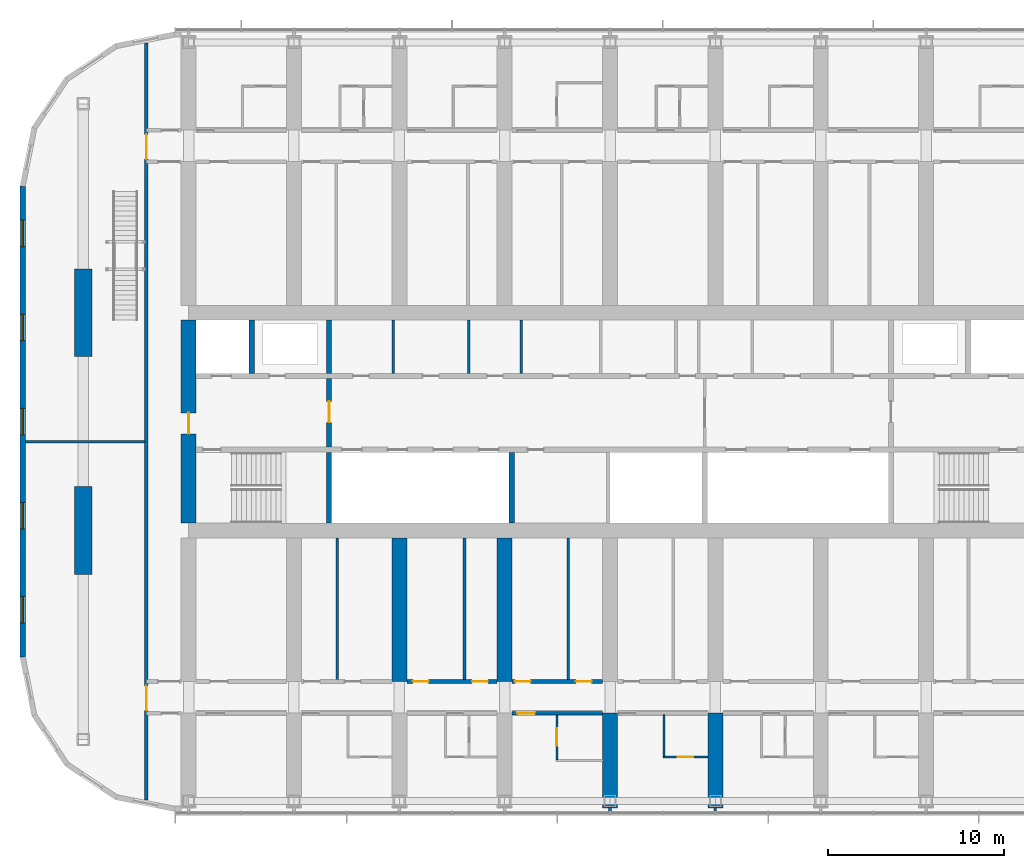
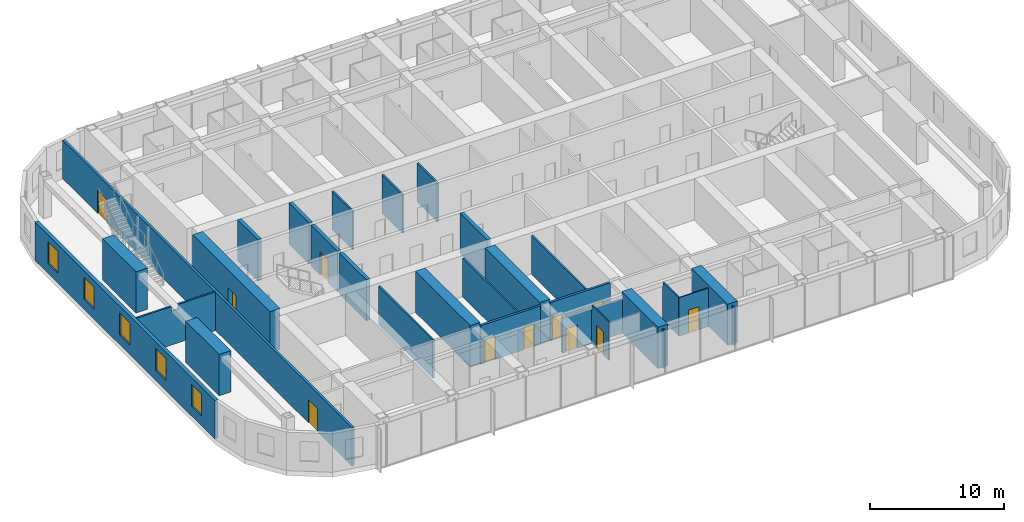
# One storey, part 15 of 29: 29 walls, 11 doors, 5 windows, 16 openings.
"""IFC4 building model written with IfcOpenShell, lengths in metres."""

from ifc_helpers import new_model, si_unit, direction, frame, frame_2d, origin, place, context, subcontext, project, spatial, polyline, rectangle, outline, extrude, material, layer, layer_set, type_object, element, fill, save


model = new_model("IFC4")

# Units and contexts
model_context = context("Model", 3, precision=1e-05, world=origin(), true_north=direction((0.0, 1.0)))
body_context = subcontext(model_context, "Body", "Model", "MODEL_VIEW")
ifc_project = project(units=[si_unit("LENGTHUNIT", "METRE"), si_unit("AREAUNIT", "SQUARE_METRE"), si_unit("VOLUMEUNIT", "CUBIC_METRE"), si_unit("PLANEANGLEUNIT", "RADIAN"), si_unit("MASSUNIT", "GRAM", prefix="KILO")], contexts=[model_context])

# Site, building, storey
site_placement = place(None, origin())
site = spatial("IfcSite", under=ifc_project, at=site_placement, CompositionType="ELEMENT")
building_placement = place(site_placement, origin())
building = spatial("IfcBuilding", under=site, at=building_placement, Name="Orbita Commons", CompositionType="ELEMENT")
storey_placement = place(building_placement, frame((0.0, 0.0, 148.60009765625)))
storey = spatial("IfcBuildingStorey", under=building, at=storey_placement, Name="L36", CompositionType="ELEMENT", Elevation=148.60009765625)

# Wall
ifc_material_1 = material(Name="Concrete C50/60", Category="concrete")
ifc_layer_1 = layer(ifc_material_1, 0.300048828125)
ifc_layer_set_1 = layer_set([ifc_layer_1], Name="Concrete C50/60")
wall_type_1 = type_object("IfcWallType", Name="Core inner wall 300 C50/60", PredefinedType="SHEAR", material=ifc_layer_set_1)
wall_1_placement = place(storey_placement, frame((26.0, 26.22509765625, 0.0), z_axis=(0.0, 0.0, 1.0), x_axis=(0.0, 1.0, 0.0)))
element("IfcWall", 1, at=wall_1_placement, inside=storey, type_object=wall_type_1, Name="Stair S1 wall L36", PredefinedType="SHEAR", context=body_context, shape_type="SweptSolid", body=[
    extrude(rectangle(XDim=4.02490234375, YDim=0.300048828125, at=frame_2d((2.012451171875, 0.0))), origin(), (0.0, 0.0, 1.0), 3.75),
])

# Wall, opening, door
wall_2_placement = place(storey_placement, frame((26.0, 30.550048828125, 0.0), z_axis=(0.0, 0.0, 1.0), x_axis=(0.0, 1.0, 0.0)))
wall_2 = element("IfcWall", 2, at=wall_2_placement, inside=storey, type_object=wall_type_1, Name="Firefighting lobby wall west L36", PredefinedType="SHEAR", context=body_context, shape_type="SweptSolid", body=[
    extrude(rectangle(XDim=3.89990234375, YDim=0.300048828125, at=frame_2d((1.949951171875, 0.0))), origin(), (0.0, 0.0, 1.0), 3.75),
])
opening_1_placement = place(wall_2_placement, frame((1.39990234375, 0.0, 0.0)))
opening_1 = element("IfcOpeningElement", 3, at=opening_1_placement, cuts=wall_2, Name="Opening D04", PredefinedType="OPENING", context=body_context, shape_type="SweptSolid", body=[
    extrude(rectangle(XDim=1.199951171875, YDim=2.10009765625, at=frame_2d((0.60009765625, 1.050048828125))), frame((0.0, 0.159912109375, 0.0), z_axis=(0.0, -1.0, 0.0), x_axis=(1.0, 0.0, 0.0)), (0.0, 0.0, 1.0), 0.320068359375),
])
ifc_material_2 = material(Name="Steel-faced fire door leaf", Category="steel")
door_type_1 = type_object("IfcDoorType", Name="Service door 20 min 1200x2100", OperationType="SINGLE_SWING_LEFT", PredefinedType="DOOR", material=ifc_material_2)
door_1_placement = place(opening_1_placement, origin())
door_1 = element("IfcDoor", 4, at=door_1_placement, inside=storey, type_object=door_type_1, Name="Lift lobby door west", OperationType="SINGLE_SWING_LEFT", OverallHeight=2.10009765625, OverallWidth=1.199951171875, PredefinedType="DOOR", context=body_context, shape_type="SweptSolid", body=[
    extrude(rectangle(XDim=1.199951171875, YDim=2.10009765625, at=frame_2d((0.60009765625, 1.050048828125))), frame((0.0, 0.02490234375, 0.0), z_axis=(0.0, -1.0, 0.0), x_axis=(1.0, 0.0, 0.0)), (0.0, 0.0, 1.0), 0.050048828125),
])
fill(opening_1, door_1)

# Walls
for number, where, z_axis, x_axis, name in (
    (5, (21.60009765625, 34.75, 0.0), (0.0, 0.0, 1.0), (0.0, 1.0, 0.0), "Firefighting lift FL1 shaft wall L36"),
    (6, (26.0, 34.75, 0.0), (0.0, 0.0, 1.0), (0.0, 1.0, 0.0), "Riser wall west L36"),
):
    element("IfcWall", number, at=place(storey_placement, frame(where, z_axis=z_axis, x_axis=x_axis)), inside=storey, type_object=wall_type_1, Name=name, PredefinedType="SHEAR", context=body_context, shape_type="SweptSolid", body=[
        extrude(rectangle(XDim=3.02490234375, YDim=0.300048828125, at=frame_2d((1.512451171875, 0.0))), origin(), (0.0, 0.0, 1.0), 3.75),
    ])
wall_3_placement = place(storey_placement, frame((36.39990234375, 26.22509765625, 0.0), z_axis=(0.0, 0.0, 1.0), x_axis=(0.0, 1.0, 0.0)))
element("IfcWall", 7, at=wall_3_placement, inside=storey, type_object=wall_type_1, Name="Hoistway division wall L36", PredefinedType="SHEAR", context=body_context, shape_type="SweptSolid", body=[
    extrude(rectangle(XDim=4.02490234375, YDim=0.300048828125, at=frame_2d((2.012451171875, 0.0))), origin(), (0.0, 0.0, 1.0), 3.75),
])
ifc_material_3 = material(Name="Concrete blockwork", Category="masonry")
ifc_layer_2 = layer(ifc_material_3, 0.14990234375)
ifc_layer_set_2 = layer_set([ifc_layer_2], Name="Concrete blockwork")
wall_type_2 = type_object("IfcWallType", Name="Core partition 150 blockwork", PredefinedType="SOLIDWALL", material=ifc_layer_set_2)
for number, where, z_axis, x_axis, name in (
    (8, (29.65087890625, 34.75, 0.0), (0.0, 0.0, 1.0), (0.0, 1.0, 0.0), "Core partition 150 blockwork L36"),
    (9, (33.9462890625, 34.75, 0.0), (0.0, 0.0, 1.0), (0.0, 1.0, 0.0), "Core partition 150 blockwork L36"),
    (10, (36.9462890625, 34.75, 0.0), (0.0, 0.0, 1.0), (0.0, 1.0, 0.0), "Core partition 150 blockwork L36"),
):
    element("IfcWall", number, at=place(storey_placement, frame(where, z_axis=z_axis, x_axis=x_axis)), inside=storey, type_object=wall_type_2, Name=name, PredefinedType="SOLIDWALL", context=body_context, shape_type="SweptSolid", body=[
        extrude(rectangle(XDim=3.02490234375, YDim=0.14990234375, at=frame_2d((1.512451171875, 0.0))), origin(), (0.0, 0.0, 1.0), 3.5),
    ])

# Wall, opening, door
ifc_material_4 = material(Name="Concrete C50/60", Category="concrete")
ifc_layer_3 = layer(ifc_material_4, 0.85009765625)
ifc_layer_set_3 = layer_set([ifc_layer_3], Name="Concrete C50/60")
wall_type_3 = type_object("IfcWallType", Name="Core wall 850 C50/60", PredefinedType="SHEAR", material=ifc_layer_set_3)
wall_4_placement = place(storey_placement, frame((18.0, 26.22509765625, 0.0), z_axis=(0.0, 0.0, 1.0), x_axis=(0.0, 1.0, 0.0)))
wall_4 = element("IfcWall", 11, at=wall_4_placement, inside=storey, type_object=wall_type_3, Name="Core end wall west L36", PredefinedType="SHEAR", context=body_context, shape_type="SweptSolid", body=[
    extrude(rectangle(XDim=11.5498046875, YDim=0.85009765625, at=frame_2d((5.77490234375, 0.0))), origin(), (0.0, 0.0, 1.0), 3.75),
])
opening_2_placement = place(wall_4_placement, frame((5.074951171875, 0.0, 0.0)))
opening_2 = element("IfcOpeningElement", 12, at=opening_2_placement, cuts=wall_4, Name="Opening D01", PredefinedType="OPENING", context=body_context, shape_type="SweptSolid", body=[
    extrude(rectangle(XDim=1.199951171875, YDim=2.10009765625, at=frame_2d((0.60009765625, 1.050048828125))), frame((0.0, 0.43505859375, 0.0), z_axis=(0.0, -1.0, 0.0), x_axis=(1.0, 0.0, 0.0)), (0.0, 0.0, 1.0), 0.8701171875),
])
ifc_material_5 = material(Name="Steel-faced fire door leaf", Category="steel")
door_type_2 = type_object("IfcDoorType", Name="Fire door 90 min 1200x2100", OperationType="SINGLE_SWING_LEFT", PredefinedType="DOOR", material=ifc_material_5)
door_2_placement = place(opening_2_placement, origin())
door_2 = element("IfcDoor", 13, at=door_2_placement, inside=storey, type_object=door_type_2, Name="Firefighting lobby west door", OperationType="SINGLE_SWING_LEFT", OverallHeight=2.10009765625, OverallWidth=1.199951171875, PredefinedType="DOOR", context=body_context, shape_type="SweptSolid", body=[
    extrude(rectangle(XDim=1.199951171875, YDim=2.10009765625, at=frame_2d((0.60009765625, 1.050048828125))), frame((0.0, 0.02490234375, 0.0), z_axis=(0.0, -1.0, 0.0), x_axis=(1.0, 0.0, 0.0)), (0.0, 0.0, 1.0), 0.050048828125),
])
fill(opening_2, door_2)

ifc_material_6 = material(Name="Concrete blockwork", Category="masonry")
ifc_layer_4 = layer(ifc_material_6, 0.199951171875)
ifc_layer_set_4 = layer_set([ifc_layer_4], Name="Concrete blockwork")
wall_type_4 = type_object("IfcWallType", Name="Corridor wall 200 blockwork", PredefinedType="SOLIDWALL", material=ifc_layer_set_4)
wall_5_placement = place(storey_placement, frame((36.425048828125, 15.39990234375, 0.0), z_axis=(0.0, 0.0, 1.0), x_axis=(1.0, 0.0, 0.0)))
wall_5 = element("IfcWall", 14, at=wall_5_placement, inside=storey, type_object=wall_type_4, Name="Corridor wall 200 blockwork L36", PredefinedType="SOLIDWALL", context=body_context, shape_type="SweptSolid", body=[
    extrude(outline(polyline([(0.0, 0.0), (5.14990234375, 0.0), (5.14990234375, 3.099853515625), (0.0, 3.099853515625), (0.0, 0.0)])), frame((0.0, 0.10009765625, 0.0), z_axis=(0.0, -1.0, 0.0), x_axis=(1.0, 0.0, 0.0)), (0.0, 0.0, 1.0), 0.199951171875),
])
opening_3_placement = place(wall_5_placement, frame((0.300048828125, 0.0, 0.0)))
opening_3 = element("IfcOpeningElement", 15, at=opening_3_placement, cuts=wall_5, Name="Opening D06", PredefinedType="OPENING", context=body_context, shape_type="SweptSolid", body=[
    extrude(rectangle(XDim=1.0, YDim=2.10009765625, at=frame_2d((0.5, 1.050048828125))), frame((0.0, 0.10986328125, 0.0), z_axis=(0.0, -1.0, 0.0), x_axis=(1.0, 0.0, 0.0)), (0.0, 0.0, 1.0), 0.219970703125),
])
ifc_material_7 = material(Name="Steel-faced fire door leaf", Category="steel")
door_type_3 = type_object("IfcDoorType", Name="Corridor door 20 min 1000x2100", OperationType="SINGLE_SWING_LEFT", PredefinedType="DOOR", material=ifc_material_7)
door_3_placement = place(opening_3_placement, origin())
door_3 = element("IfcDoor", 16, at=door_3_placement, inside=storey, type_object=door_type_3, Name="Accessible bedroom L36-S06 door", OperationType="SINGLE_SWING_LEFT", OverallHeight=2.10009765625, OverallWidth=1.0, PredefinedType="DOOR", context=body_context, shape_type="SweptSolid", body=[
    extrude(rectangle(XDim=1.0, YDim=2.10009765625, at=frame_2d((0.5, 1.050048828125))), frame((0.0, 0.02490234375, 0.0), z_axis=(0.0, -1.0, 0.0), x_axis=(1.0, 0.0, 0.0)), (0.0, 0.0, 1.0), 0.050048828125),
])
fill(opening_3, door_3)

# Wall, openings, doors
wall_6_placement = place(storey_placement, frame((15.60009765625, 10.4462890625, 0.0), z_axis=(0.0, 0.0, 1.0), x_axis=(0.0, 1.0, 0.0)))
wall_6 = element("IfcWall", 17, at=wall_6_placement, inside=storey, type_object=wall_type_4, Name="Corridor wall 200 blockwork L36", PredefinedType="SOLIDWALL", context=body_context, shape_type="SweptSolid", body=[
    extrude(rectangle(XDim=43.107421875, YDim=0.199951171875, at=frame_2d((21.5537109375, 0.0))), origin(), (0.0, 0.0, 1.0), 3.5),
])
opening_4_placement = place(wall_6_placement, frame((5.103759765625, 0.0, 0.0)))
opening_4 = element("IfcOpeningElement", 18, at=opening_4_placement, cuts=wall_6, Name="Opening D08", PredefinedType="OPENING", context=body_context, shape_type="SweptSolid", body=[
    extrude(rectangle(XDim=1.39990234375, YDim=2.10009765625, at=frame_2d((0.699951171875, 1.050048828125))), frame((0.0, 0.10986328125, 0.0), z_axis=(0.0, -1.0, 0.0), x_axis=(1.0, 0.0, 0.0)), (0.0, 0.0, 1.0), 0.219970703125),
])
opening_5_placement = place(wall_6_placement, frame((36.50390625, 0.0, 0.0)))
opening_5 = element("IfcOpeningElement", 19, at=opening_5_placement, cuts=wall_6, Name="Opening D08", PredefinedType="OPENING", context=body_context, shape_type="SweptSolid", body=[
    extrude(rectangle(XDim=1.39990234375, YDim=2.10009765625, at=frame_2d((0.699951171875, 1.050048828125))), frame((0.0, 0.10986328125, 0.0), z_axis=(0.0, -1.0, 0.0), x_axis=(1.0, 0.0, 0.0)), (0.0, 0.0, 1.0), 0.219970703125),
])
ifc_material_8 = material(Name="Steel-faced fire door leaf", Category="steel")
door_type_4 = type_object("IfcDoorType", Name="Double corridor door 20 min 1400x2100", OperationType="DOUBLE_DOOR_SINGLE_SWING", PredefinedType="DOOR", material=ifc_material_8)
door_4_placement = place(opening_4_placement, origin())
door_4 = element("IfcDoor", 20, at=door_4_placement, inside=storey, type_object=door_type_4, Name="Lounge doors", OperationType="DOUBLE_DOOR_SINGLE_SWING", OverallHeight=2.10009765625, OverallWidth=1.39990234375, PredefinedType="DOOR", context=body_context, shape_type="SweptSolid", body=[
    extrude(rectangle(XDim=1.39990234375, YDim=2.10009765625, at=frame_2d((0.699951171875, 1.050048828125))), frame((0.0, 0.02490234375, 0.0), z_axis=(0.0, -1.0, 0.0), x_axis=(1.0, 0.0, 0.0)), (0.0, 0.0, 1.0), 0.050048828125),
])
fill(opening_4, door_4)
door_5_placement = place(opening_5_placement, origin())
door_5 = element("IfcDoor", 21, at=door_5_placement, inside=storey, type_object=door_type_4, Name="Lounge doors", OperationType="DOUBLE_DOOR_SINGLE_SWING", OverallHeight=2.10009765625, OverallWidth=1.39990234375, PredefinedType="DOOR", context=body_context, shape_type="SweptSolid", body=[
    extrude(rectangle(XDim=1.39990234375, YDim=2.10009765625, at=frame_2d((0.699951171875, 1.050048828125))), frame((0.0, 0.02490234375, 0.0), z_axis=(0.0, -1.0, 0.0), x_axis=(1.0, 0.0, 0.0)), (0.0, 0.0, 1.0), 0.050048828125),
])
fill(opening_5, door_5)

ifc_material_9 = material(Name="Hollow concrete block 200", Category="concrete")
ifc_layer_5 = layer(ifc_material_9, 0.199951171875)
ifc_layer_set_5 = layer_set([ifc_layer_5], Name="Hollow concrete block 200")
wall_type_5 = type_object("IfcWallType", Name="Corridor wall 200 hollow concrete block", PredefinedType="SOLIDWALL", material=ifc_layer_set_5)
wall_7_placement = place(storey_placement, frame((30.425048828125, 17.199951171875, 0.0), z_axis=(0.0, 0.0, 1.0), x_axis=(1.0, 0.0, 0.0)))
wall_7 = element("IfcWall", 22, at=wall_7_placement, inside=storey, type_object=wall_type_5, Name="Corridor wall 200 hollow concrete block L36", PredefinedType="SOLIDWALL", context=body_context, shape_type="SweptSolid", body=[
    extrude(rectangle(XDim=5.14990234375, YDim=0.199951171875, at=frame_2d((2.574951171875, 0.0))), origin(), (0.0, 0.0, 1.0), 3.5),
])
opening_6_placement = place(wall_7_placement, frame((0.35009765625, 0.0, 0.0)))
opening_6 = element("IfcOpeningElement", 23, at=opening_6_placement, cuts=wall_7, Name="Opening D11", PredefinedType="OPENING", context=body_context, shape_type="SweptSolid", body=[
    extrude(rectangle(XDim=0.89990234375, YDim=2.10009765625, at=frame_2d((0.449951171875, 1.050048828125))), frame((0.0, 0.10986328125, 0.0), z_axis=(0.0, -1.0, 0.0), x_axis=(1.0, 0.0, 0.0)), (0.0, 0.0, 1.0), 0.219970703125),
])
opening_7_placement = place(wall_7_placement, frame((3.715087890625, 0.0, 0.0)))
opening_7 = element("IfcOpeningElement", 24, at=opening_7_placement, cuts=wall_7, Name="Opening D11", PredefinedType="OPENING", context=body_context, shape_type="SweptSolid", body=[
    extrude(rectangle(XDim=0.89990234375, YDim=2.10009765625, at=frame_2d((0.449951171875, 1.050048828125))), frame((0.0, 0.10986328125, 0.0), z_axis=(0.0, -1.0, 0.0), x_axis=(1.0, 0.0, 0.0)), (0.0, 0.0, 1.0), 0.219970703125),
])
ifc_material_10 = material(Name="Steel-faced fire door leaf", Category="steel")
door_type_5 = type_object("IfcDoorType", Name="Corridor door 20 min 900x2100", OperationType="SINGLE_SWING_LEFT", PredefinedType="DOOR", material=ifc_material_10)
door_6_placement = place(opening_6_placement, origin())
door_6 = element("IfcDoor", 25, at=door_6_placement, inside=storey, type_object=door_type_5, Name="Fitness room L36-BDS30 door", OperationType="SINGLE_SWING_LEFT", OverallHeight=2.10009765625, OverallWidth=0.89990234375, PredefinedType="DOOR", context=body_context, shape_type="SweptSolid", body=[
    extrude(rectangle(XDim=0.89990234375, YDim=2.10009765625, at=frame_2d((0.449951171875, 1.050048828125))), frame((0.0, 0.02490234375, 0.0), z_axis=(0.0, -1.0, 0.0), x_axis=(1.0, 0.0, 0.0)), (0.0, 0.0, 1.0), 0.050048828125),
])
fill(opening_6, door_6)
door_7_placement = place(opening_7_placement, origin())
door_7 = element("IfcDoor", 26, at=door_7_placement, inside=storey, type_object=door_type_5, Name="Water heater cupboard L36-BDS30n door", OperationType="SINGLE_SWING_LEFT", OverallHeight=2.10009765625, OverallWidth=0.89990234375, PredefinedType="DOOR", context=body_context, shape_type="SweptSolid", body=[
    extrude(rectangle(XDim=0.89990234375, YDim=2.10009765625, at=frame_2d((0.449951171875, 1.050048828125))), frame((0.0, 0.02490234375, 0.0), z_axis=(0.0, -1.0, 0.0), x_axis=(1.0, 0.0, 0.0)), (0.0, 0.0, 1.0), 0.050048828125),
])
fill(opening_7, door_7)

wall_8_placement = place(storey_placement, frame((36.425048828125, 17.199951171875, 0.0), z_axis=(0.0, 0.0, 1.0), x_axis=(1.0, 0.0, 0.0)))
wall_8 = element("IfcWall", 27, at=wall_8_placement, inside=storey, type_object=wall_type_5, Name="Corridor wall 200 hollow concrete block L36", PredefinedType="SOLIDWALL", context=body_context, shape_type="SweptSolid", body=[
    extrude(rectangle(XDim=5.14990234375, YDim=0.199951171875, at=frame_2d((2.574951171875, 0.0))), origin(), (0.0, 0.0, 1.0), 3.5),
])
opening_8_placement = place(wall_8_placement, frame((0.14990234375, 0.0, 0.0)))
opening_8 = element("IfcOpeningElement", 28, at=opening_8_placement, cuts=wall_8, Name="Opening D11", PredefinedType="OPENING", context=body_context, shape_type="SweptSolid", body=[
    extrude(rectangle(XDim=0.89990234375, YDim=2.10009765625, at=frame_2d((0.449951171875, 1.050048828125))), frame((0.0, 0.10986328125, 0.0), z_axis=(0.0, -1.0, 0.0), x_axis=(1.0, 0.0, 0.0)), (0.0, 0.0, 1.0), 0.219970703125),
])
opening_9_placement = place(wall_8_placement, frame((3.625, 0.0, 0.0)))
opening_9 = element("IfcOpeningElement", 29, at=opening_9_placement, cuts=wall_8, Name="Opening D11", PredefinedType="OPENING", context=body_context, shape_type="SweptSolid", body=[
    extrude(rectangle(XDim=0.89990234375, YDim=2.10009765625, at=frame_2d((0.449951171875, 1.050048828125))), frame((0.0, 0.10986328125, 0.0), z_axis=(0.0, -1.0, 0.0), x_axis=(1.0, 0.0, 0.0)), (0.0, 0.0, 1.0), 0.219970703125),
])
door_8_placement = place(opening_8_placement, origin())
door_8 = element("IfcDoor", 30, at=door_8_placement, inside=storey, type_object=door_type_5, Name="Project room L36-BDS36 door", OperationType="SINGLE_SWING_LEFT", OverallHeight=2.10009765625, OverallWidth=0.89990234375, PredefinedType="DOOR", context=body_context, shape_type="SweptSolid", body=[
    extrude(rectangle(XDim=0.89990234375, YDim=2.10009765625, at=frame_2d((0.449951171875, 1.050048828125))), frame((0.0, 0.02490234375, 0.0), z_axis=(0.0, -1.0, 0.0), x_axis=(1.0, 0.0, 0.0)), (0.0, 0.0, 1.0), 0.050048828125),
])
fill(opening_8, door_8)
door_9_placement = place(opening_9_placement, origin())
door_9 = element("IfcDoor", 31, at=door_9_placement, inside=storey, type_object=door_type_5, Name="Equipment store L36-BDS36n door", OperationType="SINGLE_SWING_LEFT", OverallHeight=2.10009765625, OverallWidth=0.89990234375, PredefinedType="DOOR", context=body_context, shape_type="SweptSolid", body=[
    extrude(rectangle(XDim=0.89990234375, YDim=2.10009765625, at=frame_2d((0.449951171875, 1.050048828125))), frame((0.0, 0.02490234375, 0.0), z_axis=(0.0, -1.0, 0.0), x_axis=(1.0, 0.0, 0.0)), (0.0, 0.0, 1.0), 0.050048828125),
])
fill(opening_9, door_9)

# Walls
ifc_material_11 = material(Name="Concrete C50/60", Category="concrete")
ifc_layer_6 = layer(ifc_material_11, 0.85009765625)
ifc_layer_set_6 = layer_set([ifc_layer_6], Name="Concrete C50/60")
wall_type_6 = type_object("IfcWallType", Name="Cross wall 850 C50/60", PredefinedType="SHEAR", material=ifc_layer_set_6)
for number, where, z_axis, x_axis, name in (
    (32, (30.0, 17.199951171875, 0.0), (0.0, 0.0, 1.0), (0.0, 1.0, 0.0), "Cross wall 6 south inner L36"),
    (33, (36.0, 17.199951171875, 0.0), (0.0, 0.0, 1.0), (0.0, 1.0, 0.0), "Cross wall 7 south inner L36"),
):
    element("IfcWall", number, at=place(storey_placement, frame(where, z_axis=z_axis, x_axis=x_axis)), inside=storey, type_object=wall_type_6, Name=name, PredefinedType="SHEAR", context=body_context, shape_type="SweptSolid", body=[
        extrude(rectangle(XDim=8.175048828125, YDim=0.85009765625, at=frame_2d((4.08740234375, 0.0))), origin(), (0.0, 0.0, 1.0), 3.75),
    ])
for number, where, z_axis, x_axis, name in (
    (34, (42.0, 10.0, 0.0), (0.0, 0.0, 1.0), (0.0, 1.0, 0.0), "Cross wall 8 south outer L36"),
    (35, (48.0, 10.0, 0.0), (0.0, 0.0, 1.0), (0.0, 1.0, 0.0), "Cross wall 9 south outer L36"),
):
    element("IfcWall", number, at=place(storey_placement, frame(where, z_axis=z_axis, x_axis=x_axis)), inside=storey, type_object=wall_type_6, Name=name, PredefinedType="SHEAR", context=body_context, shape_type="SweptSolid", body=[
        extrude(rectangle(XDim=5.39990234375, YDim=0.85009765625, at=frame_2d((2.699951171875, 0.0))), origin(), (0.0, 0.0, 1.0), 3.75),
    ])

# Wall, opening, door
ifc_material_12 = material(Name="Moisture-resistant plasterboard on steel studs", Category="steel")
ifc_layer_7 = layer(ifc_material_12, 0.10009765625)
ifc_layer_set_7 = layer_set([ifc_layer_7], Name="Moisture-resistant plasterboard on steel studs")
wall_type_7 = type_object("IfcWallType", Name="En-suite partition 100", PredefinedType="PARTITIONING", material=ifc_layer_set_7)
wall_9_placement = place(storey_placement, frame((38.97509765625, 12.75, 0.0), z_axis=(0.0, 0.0, 1.0), x_axis=(0.0, 1.0, 0.0)))
wall_9 = element("IfcWall", 36, at=wall_9_placement, inside=storey, type_object=wall_type_7, Name="En-suite partition 100 L36", PredefinedType="PARTITIONING", context=body_context, shape_type="SweptSolid", body=[
    extrude(outline(polyline([(0.0, 0.0), (2.550048828125, 0.0), (2.550048828125, 3.099853515625), (2.501953125, 3.099853515625), (2.5, 3.5), (0.0, 3.5), (0.0, 0.0)])), frame((0.0, 0.050048828125, 0.0), z_axis=(0.0, -1.0, 0.0), x_axis=(1.0, 0.0, 0.0)), (0.0, 0.0, 1.0), 0.10009765625),
])
opening_10_placement = place(wall_9_placement, frame((0.800048828125, 0.0, 0.0)))
opening_10 = element("IfcOpeningElement", 37, at=opening_10_placement, cuts=wall_9, Name="Opening D13", PredefinedType="OPENING", context=body_context, shape_type="SweptSolid", body=[
    extrude(rectangle(XDim=1.0, YDim=2.10009765625, at=frame_2d((0.5, 1.050048828125))), frame((0.0, 0.06005859375, 0.0), z_axis=(0.0, -1.0, 0.0), x_axis=(1.0, 0.0, 0.0)), (0.0, 0.0, 1.0), 0.1201171875),
])
ifc_material_13 = material(Name="Laminated timber door leaf", Category="wood")
door_type_6 = type_object("IfcDoorType", Name="En-suite door 1000x2100", OperationType="SINGLE_SWING_RIGHT", PredefinedType="DOOR", material=ifc_material_13)
door_10_placement = place(opening_10_placement, origin())
door_10 = element("IfcDoor", 38, at=door_10_placement, inside=storey, type_object=door_type_6, Name="Accessible shower room L36-S06 door", OperationType="SINGLE_SWING_RIGHT", OverallHeight=2.10009765625, OverallWidth=1.0, PredefinedType="DOOR", context=body_context, shape_type="SweptSolid", body=[
    extrude(rectangle(XDim=1.0, YDim=2.10009765625, at=frame_2d((0.5, 1.050048828125))), frame((0.0, 0.02490234375, 0.0), z_axis=(0.0, -1.0, 0.0), x_axis=(1.0, 0.0, 0.0)), (0.0, 0.0, 1.0), 0.050048828125),
])
fill(opening_10, door_10)

wall_10_placement = place(storey_placement, frame((47.574951171875, 12.89990234375, 0.0), z_axis=(0.0, 0.0, 1.0), x_axis=(-1.0, 0.0, 0.0)))
wall_10 = element("IfcWall", 39, at=wall_10_placement, inside=storey, type_object=wall_type_7, Name="En-suite partition 100 L36", PredefinedType="PARTITIONING", context=body_context, shape_type="SweptSolid", body=[
    extrude(rectangle(XDim=2.550048828125, YDim=0.10009765625, at=frame_2d((1.27490234375, 0.0))), origin(), (0.0, 0.0, 1.0), 3.5),
])
opening_11_placement = place(wall_10_placement, frame((0.824951171875, 0.0, 0.0)))
opening_11 = element("IfcOpeningElement", 40, at=opening_11_placement, cuts=wall_10, Name="Opening D09", PredefinedType="OPENING", context=body_context, shape_type="SweptSolid", body=[
    extrude(rectangle(XDim=0.89990234375, YDim=2.10009765625, at=frame_2d((0.449951171875, 1.050048828125))), frame((0.0, 0.06005859375, 0.0), z_axis=(0.0, -1.0, 0.0), x_axis=(1.0, 0.0, 0.0)), (0.0, 0.0, 1.0), 0.1201171875),
])
ifc_material_14 = material(Name="Laminated timber door leaf", Category="wood")
door_type_7 = type_object("IfcDoorType", Name="En-suite door 900x2100", OperationType="SINGLE_SWING_RIGHT", PredefinedType="DOOR", material=ifc_material_14)
door_11_placement = place(opening_11_placement, origin())
door_11 = element("IfcDoor", 41, at=door_11_placement, inside=storey, type_object=door_type_7, Name="En-suite L36-S08 door", OperationType="SINGLE_SWING_RIGHT", OverallHeight=2.10009765625, OverallWidth=0.89990234375, PredefinedType="DOOR", context=body_context, shape_type="SweptSolid", body=[
    extrude(rectangle(XDim=0.89990234375, YDim=2.10009765625, at=frame_2d((0.449951171875, 1.050048828125))), frame((0.0, 0.02490234375, 0.0), z_axis=(0.0, -1.0, 0.0), x_axis=(1.0, 0.0, 0.0)), (0.0, 0.0, 1.0), 0.050048828125),
])
fill(opening_11, door_11)

# Walls
wall_11_placement = place(storey_placement, frame((45.074951171875, 12.949951171875, 0.0), z_axis=(0.0, 0.0, 1.0), x_axis=(0.0, 1.0, 0.0)))
element("IfcWall", 42, at=wall_11_placement, inside=storey, type_object=wall_type_7, Name="En-suite partition 100 L36", PredefinedType="PARTITIONING", context=body_context, shape_type="SweptSolid", body=[
    extrude(outline(polyline([(0.0, 0.0), (2.35009765625, 0.0), (2.35009765625, 3.099853515625), (2.302001953125, 3.099853515625), (2.300048828125, 3.5), (0.0, 3.5), (0.0, 0.0)])), frame((0.0, 0.050048828125, 0.0), z_axis=(0.0, -1.0, 0.0), x_axis=(1.0, 0.0, 0.0)), (0.0, 0.0, 1.0), 0.10009765625),
])
ifc_material_15 = material(Name="Concrete C50/60", Category="concrete")
ifc_layer_8 = layer(ifc_material_15, 1.0)
ifc_layer_set_8 = layer_set([ifc_layer_8], Name="Concrete C50/60")
wall_type_8 = type_object("IfcWallType", Name="End pier 1000x5000 C50/60", PredefinedType="SHEAR", material=ifc_layer_set_8)
for number, where, z_axis, x_axis, name in (
    (43, (12.0, 23.300048828125, 0.0), (0.0, 0.0, 1.0), (0.0, 1.0, 0.0), "End pier 3/C L36"),
    (44, (12.0, 35.699951171875, 0.0), (0.0, 0.0, 1.0), (0.0, 1.0, 0.0), "End pier 3/D L36"),
):
    element("IfcWall", number, at=place(storey_placement, frame(where, z_axis=z_axis, x_axis=x_axis)), inside=storey, type_object=wall_type_8, Name=name, PredefinedType="SHEAR", context=body_context, shape_type="SweptSolid", body=[
        extrude(rectangle(XDim=5.0, YDim=1.0, at=frame_2d((2.5, 0.0))), origin(), (0.0, 0.0, 1.0), 3.75),
    ])
ifc_material_16 = material(Name="Gypsum plasterboard on steel studs", Category="steel")
ifc_layer_9 = layer(ifc_material_16, 0.14990234375)
ifc_layer_set_9 = layer_set([ifc_layer_9], Name="Gypsum plasterboard on steel studs")
wall_type_9 = type_object("IfcWallType", Name="Partition 150 plasterboard", PredefinedType="PARTITIONING", material=ifc_layer_set_9)
for number, where, z_axis, x_axis, name in (
    (45, (26.47509765625, 17.300048828125, 0.0), (0.0, 0.0, 1.0), (0.0, 1.0, 0.0), "Partition 150 plasterboard L36"),
    (46, (33.715087890625, 17.300048828125, 0.0), (0.0, 0.0, 1.0), (0.0, 1.0, 0.0), "Partition 150 plasterboard L36"),
    (47, (39.625, 17.300048828125, 0.0), (0.0, 0.0, 1.0), (0.0, 1.0, 0.0), "Partition 150 plasterboard L36"),
):
    element("IfcWall", number, at=place(storey_placement, frame(where, z_axis=z_axis, x_axis=x_axis)), inside=storey, type_object=wall_type_9, Name=name, PredefinedType="PARTITIONING", context=body_context, shape_type="SweptSolid", body=[
        extrude(rectangle(XDim=8.074951171875, YDim=0.14990234375, at=frame_2d((4.03759765625, 0.0))), origin(), (0.0, 0.0, 1.0), 3.5),
    ])
wall_12_placement = place(storey_placement, frame((8.705078125, 30.85009765625, 0.0), z_axis=(0.0, 0.0, 1.0), x_axis=(1.0, 0.0, 0.0)))
element("IfcWall", 48, at=wall_12_placement, inside=storey, type_object=wall_type_9, Name="Partition 150 plasterboard L36", PredefinedType="PARTITIONING", context=body_context, shape_type="SweptSolid", body=[
    extrude(outline(polyline([(0.0, 0.0), (6.81982421875, 0.0), (6.820068359375, 3.5), (3.596923828125, 3.5), (3.594970703125, 3.0498046875), (2.9970703125, 3.0498046875), (2.9951171875, 3.5), (0.0, 3.5), (0.0, 0.0)])), frame((0.0, 0.074951171875, 0.0), z_axis=(0.0, -1.0, 0.0), x_axis=(1.0, 0.0, 0.0)), (0.0, 0.0, 1.0), 0.14990234375),
])
for number, where, z_axis, x_axis, name in (
    (49, (42.0, 10.050048828125, 0.0), (0.0, 0.0, 1.0), (0.0, -1.0, 0.0), "Partition 150 plasterboard L36"),
    (50, (48.0, 10.050048828125, 0.0), (0.0, 0.0, 1.0), (0.0, -1.0, 0.0), "Partition 150 plasterboard L36"),
):
    element("IfcWall", number, at=place(storey_placement, frame(where, z_axis=z_axis, x_axis=x_axis)), inside=storey, type_object=wall_type_9, Name=name, PredefinedType="PARTITIONING", context=body_context, shape_type="SweptSolid", body=[
        extrude(rectangle(XDim=0.239990234375, YDim=0.14990234375, at=frame_2d((0.1201171875, 0.0))), origin(), (0.0, 0.0, 1.0), 3.5),
    ])

# Wall, openings, windows
ifc_material_17 = material(Name="Precast concrete C40/50, white board-marked finish", Category="concrete")
ifc_layer_10 = layer(ifc_material_17, 0.300048828125)
ifc_layer_set_10 = layer_set([ifc_layer_10], Name="Precast concrete C40/50, white board-marked finish")
wall_type_10 = type_object("IfcWallType", Name="Precast concrete end shield 300", PredefinedType="SOLIDWALL", material=ifc_layer_set_10)
wall_13_placement = place(storey_placement, frame((8.550048828125, 45.39990234375, 0.0), z_axis=(0.0, 0.0, 1.0), x_axis=(0.0, -1.0, 0.0)))
wall_13 = element("IfcWall", 51, at=wall_13_placement, inside=storey, type_object=wall_type_10, Name="End shield W L36", PredefinedType="SOLIDWALL", context=body_context, shape_type="SweptSolid", body=[
    extrude(outline(polyline([(-0.014892578125, -0.14990234375), (26.814697265625, -0.14990234375), (26.784912109375, 0.14990234375), (0.014892578125, 0.14990234375), (-0.014892578125, -0.14990234375)])), origin(), (0.0, 0.0, 1.0), 3.5),
])
opening_12_placement = place(wall_13_placement, frame((1.929931640625, 0.0, 0.89990234375)))
opening_12 = element("IfcOpeningElement", 52, at=opening_12_placement, cuts=wall_13, Name="Opening W01", PredefinedType="OPENING", context=body_context, shape_type="SweptSolid", body=[
    extrude(rectangle(XDim=1.5, YDim=2.0, at=frame_2d((0.75, 1.0))), frame((0.0, 0.159912109375, 0.0), z_axis=(0.0, -1.0, 0.0), x_axis=(1.0, 0.0, 0.0)), (0.0, 0.0, 1.0), 0.320068359375),
])
opening_13_placement = place(wall_13_placement, frame((7.2900390625, 0.0, 0.89990234375)))
opening_13 = element("IfcOpeningElement", 53, at=opening_13_placement, cuts=wall_13, Name="Opening W01", PredefinedType="OPENING", context=body_context, shape_type="SweptSolid", body=[
    extrude(rectangle(XDim=1.5, YDim=2.0, at=frame_2d((0.75, 1.0))), frame((0.0, 0.159912109375, 0.0), z_axis=(0.0, -1.0, 0.0), x_axis=(1.0, 0.0, 0.0)), (0.0, 0.0, 1.0), 0.320068359375),
])
opening_14_placement = place(wall_13_placement, frame((12.64990234375, 0.0, 0.89990234375)))
opening_14 = element("IfcOpeningElement", 54, at=opening_14_placement, cuts=wall_13, Name="Opening W01", PredefinedType="OPENING", context=body_context, shape_type="SweptSolid", body=[
    extrude(rectangle(XDim=1.5, YDim=2.0, at=frame_2d((0.75, 1.0))), frame((0.0, 0.159912109375, 0.0), z_axis=(0.0, -1.0, 0.0), x_axis=(1.0, 0.0, 0.0)), (0.0, 0.0, 1.0), 0.320068359375),
])
opening_15_placement = place(wall_13_placement, frame((18.010009765625, 0.0, 0.89990234375)))
opening_15 = element("IfcOpeningElement", 55, at=opening_15_placement, cuts=wall_13, Name="Opening W01", PredefinedType="OPENING", context=body_context, shape_type="SweptSolid", body=[
    extrude(rectangle(XDim=1.5, YDim=2.0, at=frame_2d((0.75, 1.0))), frame((0.0, 0.159912109375, 0.0), z_axis=(0.0, -1.0, 0.0), x_axis=(1.0, 0.0, 0.0)), (0.0, 0.0, 1.0), 0.320068359375),
])
opening_16_placement = place(wall_13_placement, frame((23.3701171875, 0.0, 0.89990234375)))
opening_16 = element("IfcOpeningElement", 56, at=opening_16_placement, cuts=wall_13, Name="Opening W01", PredefinedType="OPENING", context=body_context, shape_type="SweptSolid", body=[
    extrude(rectangle(XDim=1.5, YDim=2.0, at=frame_2d((0.75, 1.0))), frame((0.0, 0.159912109375, 0.0), z_axis=(0.0, -1.0, 0.0), x_axis=(1.0, 0.0, 0.0)), (0.0, 0.0, 1.0), 0.320068359375),
])
ifc_material_18 = material(Name="Aluminium frame, clear double glazing", Category="aluminium")
window_type = type_object("IfcWindowType", Name="Deep-set window 1500x2000", PartitioningType="SINGLE_PANEL", PredefinedType="WINDOW", material=ifc_material_18)
window_1_placement = place(opening_12_placement, origin())
window_1 = element("IfcWindow", 57, at=window_1_placement, inside=storey, type_object=window_type, Name="Window L36-W 1", OverallHeight=2.0, OverallWidth=1.5, PartitioningType="SINGLE_PANEL", PredefinedType="WINDOW", context=body_context, shape_type="SweptSolid", body=[
    extrude(rectangle(XDim=1.5, YDim=2.0, at=frame_2d((0.75, 1.0))), frame((0.0, 0.030029296875, 0.0), z_axis=(0.0, -1.0, 0.0), x_axis=(1.0, 0.0, 0.0)), (0.0, 0.0, 1.0), 0.06005859375),
])
fill(opening_12, window_1)
window_2_placement = place(opening_13_placement, origin())
window_2 = element("IfcWindow", 58, at=window_2_placement, inside=storey, type_object=window_type, Name="Window L36-W 2", OverallHeight=2.0, OverallWidth=1.5, PartitioningType="SINGLE_PANEL", PredefinedType="WINDOW", context=body_context, shape_type="SweptSolid", body=[
    extrude(rectangle(XDim=1.5, YDim=2.0, at=frame_2d((0.75, 1.0))), frame((0.0, 0.030029296875, 0.0), z_axis=(0.0, -1.0, 0.0), x_axis=(1.0, 0.0, 0.0)), (0.0, 0.0, 1.0), 0.06005859375),
])
fill(opening_13, window_2)
window_3_placement = place(opening_14_placement, origin())
window_3 = element("IfcWindow", 59, at=window_3_placement, inside=storey, type_object=window_type, Name="Window L36-W 3", OverallHeight=2.0, OverallWidth=1.5, PartitioningType="SINGLE_PANEL", PredefinedType="WINDOW", context=body_context, shape_type="SweptSolid", body=[
    extrude(rectangle(XDim=1.5, YDim=2.0, at=frame_2d((0.75, 1.0))), frame((0.0, 0.030029296875, 0.0), z_axis=(0.0, -1.0, 0.0), x_axis=(1.0, 0.0, 0.0)), (0.0, 0.0, 1.0), 0.06005859375),
])
fill(opening_14, window_3)
window_4_placement = place(opening_15_placement, origin())
window_4 = element("IfcWindow", 60, at=window_4_placement, inside=storey, type_object=window_type, Name="Window L36-W 4", OverallHeight=2.0, OverallWidth=1.5, PartitioningType="SINGLE_PANEL", PredefinedType="WINDOW", context=body_context, shape_type="SweptSolid", body=[
    extrude(rectangle(XDim=1.5, YDim=2.0, at=frame_2d((0.75, 1.0))), frame((0.0, 0.030029296875, 0.0), z_axis=(0.0, -1.0, 0.0), x_axis=(1.0, 0.0, 0.0)), (0.0, 0.0, 1.0), 0.06005859375),
])
fill(opening_15, window_4)
window_5_placement = place(opening_16_placement, origin())
window_5 = element("IfcWindow", 61, at=window_5_placement, inside=storey, type_object=window_type, Name="Window L36-W 5", OverallHeight=2.0, OverallWidth=1.5, PartitioningType="SINGLE_PANEL", PredefinedType="WINDOW", context=body_context, shape_type="SweptSolid", body=[
    extrude(rectangle(XDim=1.5, YDim=2.0, at=frame_2d((0.75, 1.0))), frame((0.0, 0.030029296875, 0.0), z_axis=(0.0, -1.0, 0.0), x_axis=(1.0, 0.0, 0.0)), (0.0, 0.0, 1.0), 0.06005859375),
])
fill(opening_16, window_5)

save(model, "model.ifc")
